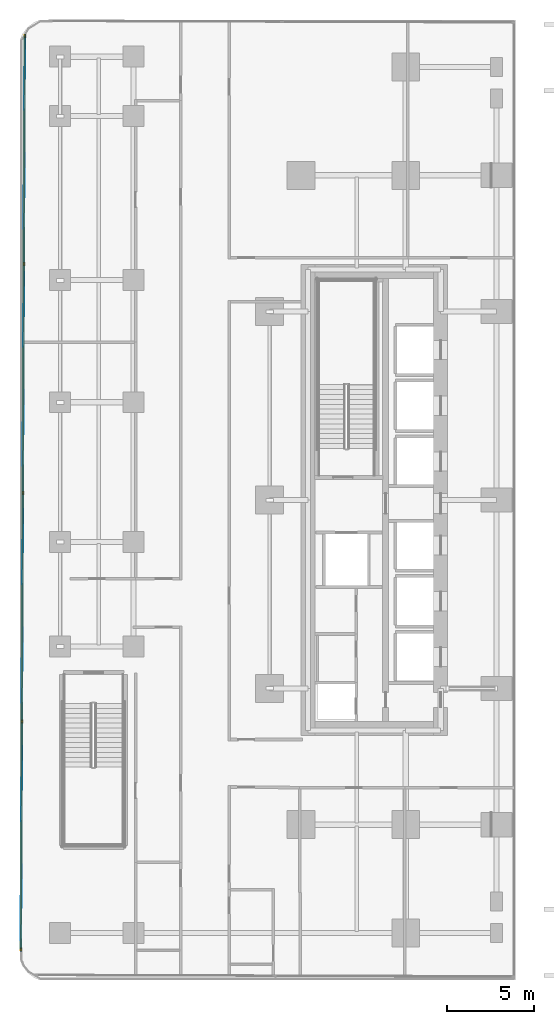
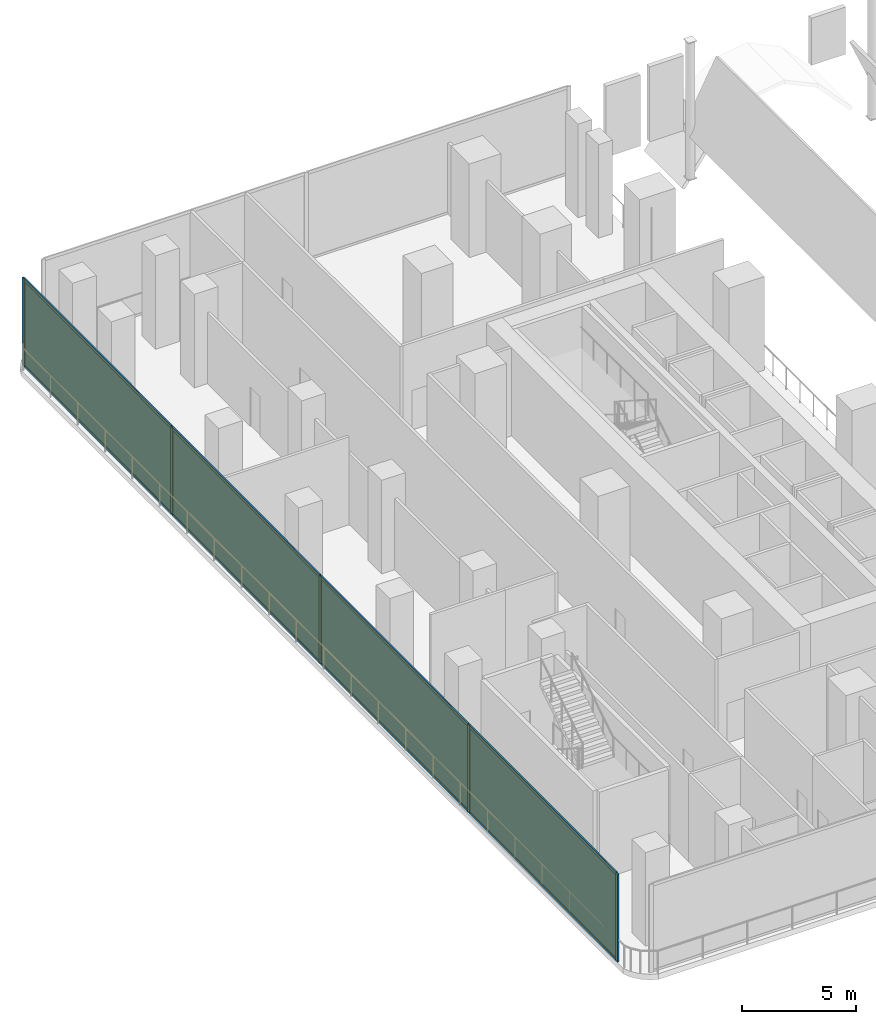
# One storey, part 15 of 31: 13 members, 4 plates, 1 curtain wall.
"""IFC4 building model written with IfcOpenShell, lengths in metres."""

import ifcopenshell
import ifcopenshell.guid

model = None  # the IFC model being written
_history = None  # IfcOwnerHistory: only IFC2X3 demands one
_inside = {}  # id of a spatial element -> (the spatial element, [elements in it])
_under = {}  # id of a project, library or spatial element -> (it, [spatial elements below it])
_declared = {}  # id of a project -> (the project, [libraries it declares])
_typed = {}  # id of a type object -> (the type object, [elements of that type])
_made_of = {}  # id of a material, layer set ... -> (it, [elements and type objects made of it])


def new_model(schema):
    """Start an empty IFC model of exactly this schema.

    Asked for "IFC4X3", IfcOpenShell would pick the latest addendum, in which some entities
    have other attributes; the version numbers below select the first issue.
    IFC2X3 requires an IfcOwnerHistory on every rooted entity: one is made here for all.
    """
    global model, _history
    if schema == "IFC4X3":
        model = ifcopenshell.file(schema_version=(4, 3, 0, 0))
    else:
        model = ifcopenshell.file(schema=schema)
    _inside.clear()
    _under.clear()
    _declared.clear()
    _typed.clear()
    _made_of.clear()
    _history = None
    if model.schema == "IFC2X3":
        org = make("IfcOrganization", Name="unknown")
        user = make(
            "IfcPersonAndOrganization",
            ThePerson=make("IfcPerson", FamilyName="unknown"),
            TheOrganization=org,
        )
        app = make(
            "IfcApplication",
            ApplicationDeveloper=org,
            Version="unknown",
            ApplicationFullName="unknown",
            ApplicationIdentifier="unknown",
        )
        _history = make(
            "IfcOwnerHistory",
            OwningUser=user,
            OwningApplication=app,
            ChangeAction="ADDED",
            CreationDate=0,
        )
    return model


def make(cls, **values):
    """One entity of the class cls with the attributes given. An attribute that is None is left unset."""
    return model.create_entity(
        cls, **{name: value for name, value in values.items() if value is not None}
    )


def rooted(cls, **values):
    """An entity with a GlobalId (a new one), such as an element, a storey or a relation."""
    return make(cls, GlobalId=ifcopenshell.guid.new(), OwnerHistory=_history, **values)


def si_unit(unit_type, name, prefix=None):
    """IfcSIUnit, for example si_unit("LENGTHUNIT", "METRE", prefix="MILLI")."""
    return make("IfcSIUnit", UnitType=unit_type, Prefix=prefix, Name=name)


def assignment(units):
    """IfcUnitAssignment: the units of a project."""
    return None if units is None else make("IfcUnitAssignment", Units=units)


def point(xyz):
    """IfcCartesianPoint."""
    return None if xyz is None else make("IfcCartesianPoint", Coordinates=xyz)


def direction(xyz):
    """IfcDirection."""
    return None if xyz is None else make("IfcDirection", DirectionRatios=xyz)


def frame(location, z_axis=None, x_axis=None):
    """IfcAxis2Placement3D, a coordinate frame: its origin and axes. An axis left out is left unset."""
    return make(
        "IfcAxis2Placement3D",
        Location=point(location),
        Axis=direction(z_axis),
        RefDirection=direction(x_axis),
    )


def frame_2d(location, x_axis=None):
    """IfcAxis2Placement2D, a coordinate frame in the plane: its origin and x axis."""
    return make(
        "IfcAxis2Placement2D", Location=point(location), RefDirection=direction(x_axis)
    )


def origin():
    """The frame at (0, 0, 0) with its axes left unset."""
    return frame((0.0, 0.0, 0.0))


def origin_2d():
    """The frame at (0, 0) in the plane with its x axis left unset."""
    return frame_2d((0.0, 0.0))


def place(relative_to, where):
    """IfcLocalPlacement: puts the frame where relative to a parent placement (None: the world)."""
    return make(
        "IfcLocalPlacement", PlacementRelTo=relative_to, RelativePlacement=where
    )


def context(
    kind, dimensions, precision=None, world=None, true_north=None, identifier=None
):
    """IfcGeometricRepresentationContext, for example the 3D "Model" context."""
    return make(
        "IfcGeometricRepresentationContext",
        ContextIdentifier=identifier,
        ContextType=kind,
        CoordinateSpaceDimension=dimensions,
        Precision=precision,
        WorldCoordinateSystem=world,
        TrueNorth=true_north,
    )


def subcontext(parent, identifier, kind, view, scale=None):
    """IfcGeometricRepresentationSubContext, for example "Body" below "Model"."""
    return make(
        "IfcGeometricRepresentationSubContext",
        ContextIdentifier=identifier,
        ContextType=kind,
        ParentContext=parent,
        TargetScale=scale,
        TargetView=view,
    )


def project(units=None, contexts=None):
    """IfcProject with its units and contexts."""
    return rooted(
        "IfcProject",
        Name="project",
        RepresentationContexts=contexts,
        UnitsInContext=assignment(units),
    )


def spatial(cls, under=None, at=None, **own):
    """A site, building, storey or space (cls), placed at a placement, below another one or the project."""
    s = rooted(cls, ObjectPlacement=at, **own)
    if under is not None:
        _under.setdefault(under.id(), (under, []))[1].append(s)
    return s


def profile(cls, at=None, kind="AREA", **sizes):
    """A parametric profile (cls). Its sizes go by their IFC names, for example OverallWidth=200.0."""
    return make(cls, ProfileType=kind, Position=at, **sizes)


def rectangle(**sizes):
    """IfcRectangleProfileDef."""
    return profile("IfcRectangleProfileDef", **sizes)


def extrude(swept, where, along, depth):
    """IfcExtrudedAreaSolid: the profile swept, set in the frame where, extruded along a direction by depth."""
    return make(
        "IfcExtrudedAreaSolid",
        SweptArea=swept,
        Position=where,
        ExtrudedDirection=direction(along),
        Depth=depth,
    )


def shape(context_of_items, identifier, shape_type, items):
    """IfcShapeRepresentation: the items that make up one representation, for example the "Body"."""
    return make(
        "IfcShapeRepresentation",
        ContextOfItems=context_of_items,
        RepresentationIdentifier=identifier,
        RepresentationType=shape_type,
        Items=items,
    )


def material(Name=None, Category=None):
    """IfcMaterial."""
    return make("IfcMaterial", Name=Name, Category=Category)


def layer(
    of_material, thickness, ventilated=None, Name=None, Category=None, Priority=None
):
    """IfcMaterialLayer: one layer of a wall or slab, of a material (None: an air gap)."""
    return make(
        "IfcMaterialLayer",
        Material=of_material,
        LayerThickness=thickness,
        IsVentilated=ventilated,
        Name=Name,
        Category=Category,
        Priority=Priority,
    )


def layer_set(layers, Name=None):
    """IfcMaterialLayerSet."""
    return make("IfcMaterialLayerSet", MaterialLayers=layers, LayerSetName=Name)


def material_profile(
    of_material, cross_section, Name=None, Category=None, Priority=None
):
    """IfcMaterialProfile: a cross section and its material."""
    return make(
        "IfcMaterialProfile",
        Name=Name,
        Material=of_material,
        Profile=cross_section,
        Priority=Priority,
        Category=Category,
    )


def profile_set(profiles, Name=None, composite=None):
    """IfcMaterialProfileSet."""
    return make(
        "IfcMaterialProfileSet",
        Name=Name,
        MaterialProfiles=profiles,
        CompositeProfile=composite,
    )


def made_of(thing, what):
    """Note that an element or type object is made of a material, layer set ...; save() writes the relation."""
    if what is not None:
        _made_of.setdefault(what.id(), (what, []))[1].append(thing)
    return thing


def type_object(cls, material=None, **own):
    """A type object (cls), such as IfcWallType, which elements share."""
    return made_of(rooted(cls, **own), material)


def element(
    cls,
    number,
    at=None,
    inside=None,
    cuts=None,
    type_object=None,
    material=None,
    context=None,
    identifier="Body",
    shape_type=None,
    held_by="IfcProductDefinitionShape",
    body=None,
    shapes=None,
    **own,
):
    """One element of the class cls, such as IfcWall. Its Tag is "e" and its number.

    at: its placement. inside: the storey or other place that contains it. cuts: it is an
    opening in that element (IfcRelVoidsElement). A single representation is given by context,
    identifier, shape_type and body (its items); several are given by shapes. held_by: the class
    of the entity that holds the representations. save() writes the other relations.
    """
    e = rooted(cls, Tag="e%d" % number, ObjectPlacement=at, **own)
    if body is not None:
        shapes = [shape(context, identifier, shape_type, body)]
    if shapes is not None:
        e.Representation = make(held_by, Representations=shapes)
    if inside is not None:
        _inside.setdefault(inside.id(), (inside, []))[1].append(e)
    if cuts is not None:
        rooted(
            "IfcRelVoidsElement", RelatingBuildingElement=cuts, RelatedOpeningElement=e
        )
    if type_object is not None:
        _typed.setdefault(type_object.id(), (type_object, []))[1].append(e)
    return made_of(e, material)


def aggregate(whole, parts):
    """IfcRelAggregates: a whole, such as a stair, and the parts it consists of."""
    return rooted("IfcRelAggregates", RelatingObject=whole, RelatedObjects=parts)


def save(model, path):
    """Write the relations noted so far, then the file.

    IfcRelAggregates (storeys below a building ...), IfcRelContainedInSpatialStructure (elements
    in a storey), IfcRelDefinesByType, IfcRelAssociatesMaterial and IfcRelDeclares: one each for
    every whole, place, type object, material and project.
    """
    for whole, parts in _under.values():
        aggregate(whole, parts)
    for where, things in _inside.values():
        rooted(
            "IfcRelContainedInSpatialStructure",
            RelatedElements=things,
            RelatingStructure=where,
        )
    for kind, things in _typed.values():
        rooted("IfcRelDefinesByType", RelatedObjects=things, RelatingType=kind)
    for what, things in _made_of.values():
        rooted("IfcRelAssociatesMaterial", RelatedObjects=things, RelatingMaterial=what)
    for by, libraries in _declared.values():
        rooted("IfcRelDeclares", RelatingContext=by, RelatedDefinitions=libraries)
    model.write(path)


model = new_model("IFC4")

# Units and contexts
model_context = context("Model", 3, precision=1e-05, world=origin(), true_north=direction((0.0, 1.0)))
body_context = subcontext(model_context, "Body", "Model", "MODEL_VIEW")
ifc_project = project(units=[si_unit("LENGTHUNIT", "METRE"), si_unit("AREAUNIT", "SQUARE_METRE"), si_unit("VOLUMEUNIT", "CUBIC_METRE"), si_unit("PLANEANGLEUNIT", "RADIAN"), si_unit("MASSUNIT", "GRAM", prefix="KILO")], contexts=[model_context])

# Member
ifc_material_1 = material(Name="Anodised Bronze Aluminium 6063-T6", Category="aluminium")
ifc_material_profile_1 = material_profile(ifc_material_1, rectangle(XDim=0.074951171875, YDim=0.199951171875, at=origin_2d()))
ifc_profile_set_1 = profile_set([ifc_material_profile_1], Name="Anodised Bronze Aluminium 6063-T6")
member_type_1 = type_object("IfcMemberType", Name="CW-POD Mullion 75x200", PredefinedType="MULLION", material=ifc_profile_set_1)
site_placement = place(None, origin())
building_placement = place(site_placement, origin())
storey_placement = place(building_placement, frame((0.0, 0.0, 11.0)))
member_1_placement = place(storey_placement, frame((-36.43994140625, -25.751953125, 0.0), z_axis=(0.0, 0.0, 1.0), x_axis=(-0.99999110921, 0.004216811588, 0.0)))
member_1 = element("IfcMember", 1, at=member_1_placement, type_object=member_type_1, Name="CW-POD mullion 1", PredefinedType="MULLION", context=body_context, shape_type="SweptSolid", body=[
    extrude(rectangle(XDim=0.074951171875, YDim=0.199951171875, at=origin_2d()), origin(), (0.0, 0.0, 1.0), 4.699951171875),
])

member_2_placement = place(storey_placement, frame((-36.384765625, -12.687255859375, 0.0), z_axis=(0.0, 0.0, 1.0), x_axis=(-0.99999110921, 0.004216811588, 0.0)))
member_2 = element("IfcMember", 2, at=member_2_placement, type_object=member_type_1, Name="CW-POD mullion 2", PredefinedType="MULLION", context=body_context, shape_type="SweptSolid", body=[
    extrude(rectangle(XDim=0.074951171875, YDim=0.199951171875, at=origin_2d()), origin(), (0.0, 0.0, 1.0), 4.699951171875),
])

member_3_placement = place(storey_placement, frame((-36.32958984375, 0.414794921875, 0.0), z_axis=(0.0, 0.0, 1.0), x_axis=(-0.99999110921, 0.004216811588, 0.0)))
member_3 = element("IfcMember", 3, at=member_3_placement, type_object=member_type_1, Name="CW-POD mullion 3", PredefinedType="MULLION", context=body_context, shape_type="SweptSolid", body=[
    extrude(rectangle(XDim=0.074951171875, YDim=0.199951171875, at=origin_2d()), origin(), (0.0, 0.0, 1.0), 4.699951171875),
])

member_4_placement = place(storey_placement, frame((-36.274169921875, 13.51708984375, 0.0), z_axis=(0.0, 0.0, 1.0), x_axis=(-0.99999110921, 0.004216811588, 0.0)))
member_4 = element("IfcMember", 4, at=member_4_placement, type_object=member_type_1, Name="CW-POD mullion 4", PredefinedType="MULLION", context=body_context, shape_type="SweptSolid", body=[
    extrude(rectangle(XDim=0.074951171875, YDim=0.199951171875, at=origin_2d()), origin(), (0.0, 0.0, 1.0), 4.699951171875),
])

member_5_placement = place(storey_placement, frame((-36.21923828125, 26.581787109375, 0.0), z_axis=(0.0, 0.0, 1.0), x_axis=(-0.99999110921, 0.004216811588, 0.0)))
member_5 = element("IfcMember", 5, at=member_5_placement, type_object=member_type_1, Name="CW-POD mullion 5", PredefinedType="MULLION", context=body_context, shape_type="SweptSolid", body=[
    extrude(rectangle(XDim=0.074951171875, YDim=0.199951171875, at=origin_2d()), origin(), (0.0, 0.0, 1.0), 4.699951171875),
])

ifc_material_2 = material(Name="Anodised Bronze Aluminium 6063-T6", Category="aluminium")
ifc_material_profile_2 = material_profile(ifc_material_2, rectangle(XDim=0.074951171875, YDim=0.159912109375, at=origin_2d()))
ifc_profile_set_2 = profile_set([ifc_material_profile_2], Name="Anodised Bronze Aluminium 6063-T6")
member_type_2 = type_object("IfcMemberType", Name="CW-POD Transom 75x160", PredefinedType="USERDEFINED", material=ifc_profile_set_2)
member_6_placement = place(storey_placement, frame((-36.439697265625, -25.714599609375, 0.03759765625), z_axis=(0.004210014188, 0.999991137851, 0.0), x_axis=(-0.999991137851, 0.004210014188, 0.0)))
member_6 = element("IfcMember", 6, at=member_6_placement, type_object=member_type_2, Name="CW-POD transom 1.1", ObjectType="TRANSOM", PredefinedType="USERDEFINED", context=body_context, shape_type="SweptSolid", body=[
    extrude(rectangle(XDim=0.074951171875, YDim=0.159912109375, at=origin_2d()), origin(), (0.0, 0.0, 1.0), 12.98974609375),
])

member_7_placement = place(storey_placement, frame((-36.439697265625, -25.714599609375, 4.66259765625), z_axis=(0.004210014188, 0.999991137851, 0.0), x_axis=(-0.999991137851, 0.004210014188, 0.0)))
member_7 = element("IfcMember", 7, at=member_7_placement, type_object=member_type_2, Name="CW-POD transom 1.2", ObjectType="TRANSOM", PredefinedType="USERDEFINED", context=body_context, shape_type="SweptSolid", body=[
    extrude(rectangle(XDim=0.074951171875, YDim=0.159912109375, at=origin_2d()), origin(), (0.0, 0.0, 1.0), 12.98974609375),
])

member_8_placement = place(storey_placement, frame((-36.384521484375, -12.64990234375, 0.03759765625), z_axis=(0.004216604194, 0.999991110085, 0.0), x_axis=(-0.999991110085, 0.004216604194, 0.0)))
member_8 = element("IfcMember", 8, at=member_8_placement, type_object=member_type_2, Name="CW-POD transom 2.1", ObjectType="TRANSOM", PredefinedType="USERDEFINED", context=body_context, shape_type="SweptSolid", body=[
    extrude(rectangle(XDim=0.074951171875, YDim=0.159912109375, at=origin_2d()), origin(), (0.0, 0.0, 1.0), 13.02734375),
])

member_9_placement = place(storey_placement, frame((-36.384521484375, -12.64990234375, 4.66259765625), z_axis=(0.004216604194, 0.999991110085, 0.0), x_axis=(-0.999991110085, 0.004216604194, 0.0)))
member_9 = element("IfcMember", 9, at=member_9_placement, type_object=member_type_2, Name="CW-POD transom 2.2", ObjectType="TRANSOM", PredefinedType="USERDEFINED", context=body_context, shape_type="SweptSolid", body=[
    extrude(rectangle(XDim=0.074951171875, YDim=0.159912109375, at=origin_2d()), origin(), (0.0, 0.0, 1.0), 13.02734375),
])

member_10_placement = place(storey_placement, frame((-36.329345703125, 0.452392578125, 0.03759765625), z_axis=(0.004216683215, 0.999991109752, 0.0), x_axis=(-0.999991109752, 0.004216683215, 0.0)))
member_10 = element("IfcMember", 10, at=member_10_placement, type_object=member_type_2, Name="CW-POD transom 3.1", ObjectType="TRANSOM", PredefinedType="USERDEFINED", context=body_context, shape_type="SweptSolid", body=[
    extrude(rectangle(XDim=0.074951171875, YDim=0.159912109375, at=origin_2d()), origin(), (0.0, 0.0, 1.0), 13.027099609375),
])

member_11_placement = place(storey_placement, frame((-36.329345703125, 0.452392578125, 4.66259765625), z_axis=(0.004216683215, 0.999991109752, 0.0), x_axis=(-0.999991109752, 0.004216683215, 0.0)))
member_11 = element("IfcMember", 11, at=member_11_placement, type_object=member_type_2, Name="CW-POD transom 3.2", ObjectType="TRANSOM", PredefinedType="USERDEFINED", context=body_context, shape_type="SweptSolid", body=[
    extrude(rectangle(XDim=0.074951171875, YDim=0.159912109375, at=origin_2d()), origin(), (0.0, 0.0, 1.0), 13.027099609375),
])

member_12_placement = place(storey_placement, frame((-36.274169921875, 13.5546875, 0.03759765625), z_axis=(0.004228888039, 0.999991058213, 0.0), x_axis=(-0.999991058213, 0.004228888039, 0.0)))
member_12 = element("IfcMember", 12, at=member_12_placement, type_object=member_type_2, Name="CW-POD transom 4.1", ObjectType="TRANSOM", PredefinedType="USERDEFINED", context=body_context, shape_type="SweptSolid", body=[
    extrude(rectangle(XDim=0.074951171875, YDim=0.159912109375, at=origin_2d()), origin(), (0.0, 0.0, 1.0), 12.989501953125),
])

member_13_placement = place(storey_placement, frame((-36.274169921875, 13.5546875, 4.66259765625), z_axis=(0.004228888039, 0.999991058213, 0.0), x_axis=(-0.999991058213, 0.004228888039, 0.0)))
member_13 = element("IfcMember", 13, at=member_13_placement, type_object=member_type_2, Name="CW-POD transom 4.2", ObjectType="TRANSOM", PredefinedType="USERDEFINED", context=body_context, shape_type="SweptSolid", body=[
    extrude(rectangle(XDim=0.074951171875, YDim=0.159912109375, at=origin_2d()), origin(), (0.0, 0.0, 1.0), 12.989501953125),
])

# Plate
ifc_material_3 = material(Name="Low-E Solar Control Laminated Glass", Category="glass")
ifc_layer_1 = layer(ifc_material_3, 0.031982421875, Name="Low-E Solar Control Laminated Glass")
ifc_layer_set_1 = layer_set([ifc_layer_1], Name="Low-E Solar Control Laminated Glass")
plate_type = type_object("IfcPlateType", Name="CW-POD Low-E Double Glazed Panel 32mm", PredefinedType="CURTAIN_PANEL", material=ifc_layer_set_1)
plate_1_placement = place(storey_placement, frame((-36.412353515625, -19.2197265625, 0.0751953125), z_axis=(0.0, 0.0, 1.0), x_axis=(0.004216811588, 0.99999110921, 0.0)))
plate_1 = element("IfcPlate", 14, at=plate_1_placement, type_object=plate_type, Name="CW-POD panel 1.1", PredefinedType="CURTAIN_PANEL", context=body_context, shape_type="SweptSolid", body=[
    extrude(rectangle(XDim=12.98974609375, YDim=0.031982421875, at=origin_2d()), origin(), (0.0, 0.0, 1.0), 4.550048828125),
])

plate_2_placement = place(storey_placement, frame((-36.357177734375, -6.13623046875, 0.0751953125), z_axis=(0.0, 0.0, 1.0), x_axis=(0.004216811588, 0.99999110921, 0.0)))
plate_2 = element("IfcPlate", 15, at=plate_2_placement, type_object=plate_type, Name="CW-POD panel 2.1", PredefinedType="CURTAIN_PANEL", context=body_context, shape_type="SweptSolid", body=[
    extrude(rectangle(XDim=13.02734375, YDim=0.031982421875, at=origin_2d()), origin(), (0.0, 0.0, 1.0), 4.550048828125),
])

plate_3_placement = place(storey_placement, frame((-36.3017578125, 6.966064453125, 0.0751953125), z_axis=(0.0, 0.0, 1.0), x_axis=(0.004216811588, 0.99999110921, 0.0)))
plate_3 = element("IfcPlate", 16, at=plate_3_placement, type_object=plate_type, Name="CW-POD panel 3.1", PredefinedType="CURTAIN_PANEL", context=body_context, shape_type="SweptSolid", body=[
    extrude(rectangle(XDim=13.02734375, YDim=0.031982421875, at=origin_2d()), origin(), (0.0, 0.0, 1.0), 4.550048828125),
])

plate_4_placement = place(storey_placement, frame((-36.24658203125, 20.049560546875, 0.0751953125), z_axis=(0.0, 0.0, 1.0), x_axis=(0.004216811588, 0.99999110921, 0.0)))
plate_4 = element("IfcPlate", 17, at=plate_4_placement, type_object=plate_type, Name="CW-POD panel 4.1", PredefinedType="CURTAIN_PANEL", context=body_context, shape_type="SweptSolid", body=[
    extrude(rectangle(XDim=12.98974609375, YDim=0.031982421875, at=origin_2d()), origin(), (0.0, 0.0, 1.0), 4.550048828125),
])

# Site, building, storey
site = spatial("IfcSite", under=ifc_project, at=site_placement, CompositionType="ELEMENT")
building = spatial("IfcBuilding", under=site, at=building_placement, Name="Khairoan Windgate Tower", CompositionType="ELEMENT")
storey = spatial("IfcBuildingStorey", under=building, at=storey_placement, Name="L03", CompositionType="ELEMENT", Elevation=11.0)

# Curtain wall
ifc_material_4 = material(Name="Anodised Bronze Aluminium 6063-T6", Category="aluminium")
ifc_layer_2 = layer(ifc_material_4, 0.199951171875, Name="Anodised Bronze Aluminium 6063-T6")
ifc_layer_set_2 = layer_set([ifc_layer_2], Name="Anodised Bronze Aluminium 6063-T6")
curtain_wall_type = type_object("IfcCurtainWallType", Name="Podium Arch Galleria Curtain Wall CW-POD", PredefinedType="NOTDEFINED", material=ifc_layer_set_2)
curtain_wall_placement = place(storey_placement, frame((-36.43994140625, -25.78955078125, 0.0), z_axis=(0.0, 0.0, 1.0), x_axis=(0.004215794499, 0.999991113499, 0.0)))
curtain_wall = element("IfcCurtainWall", 18, at=curtain_wall_placement, inside=storey, type_object=curtain_wall_type, Name="L03 Sculpted Podium Wing Curtain Wall 1.3", PredefinedType="NOTDEFINED", context=body_context, shape_type="SweptSolid", body=[
    extrude(rectangle(XDim=52.409423828125, YDim=0.010009765625, at=frame_2d((26.20458984375, 0.0))), origin(), (0.0, 0.0, 1.0), 4.699951171875),
])

aggregate(curtain_wall, [member_1, member_2, member_3, member_4, member_5, member_6, member_7, plate_1, member_8, member_9, plate_2, member_10, member_11, plate_3, member_12, member_13, plate_4])

save(model, "model.ifc")
